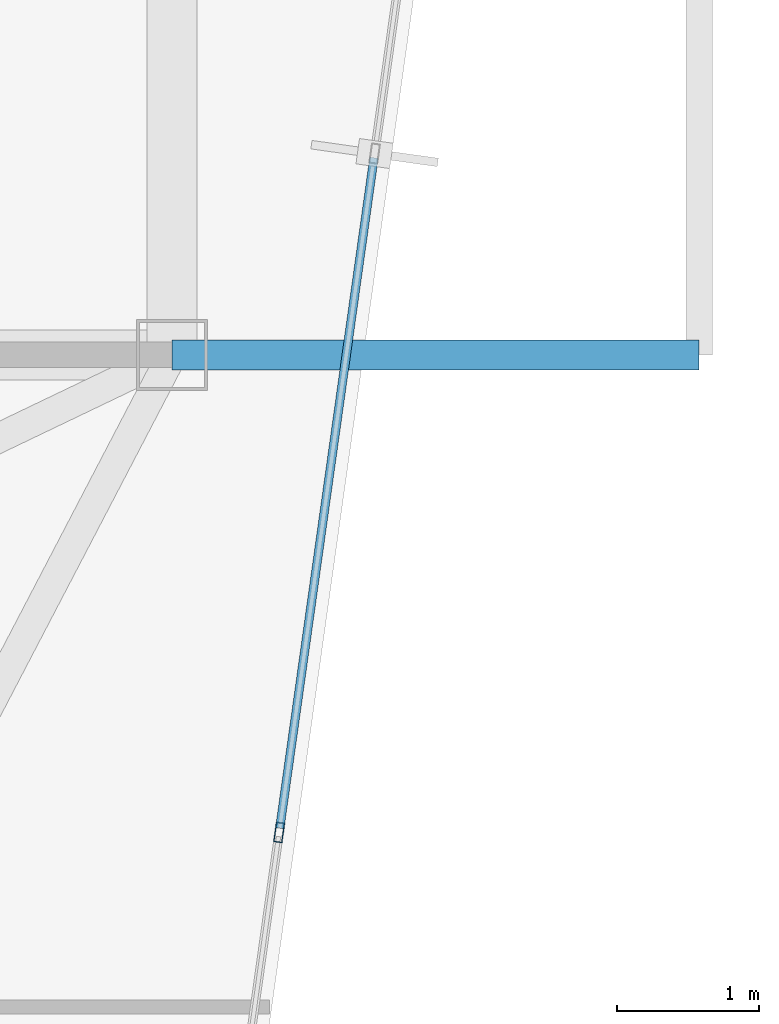
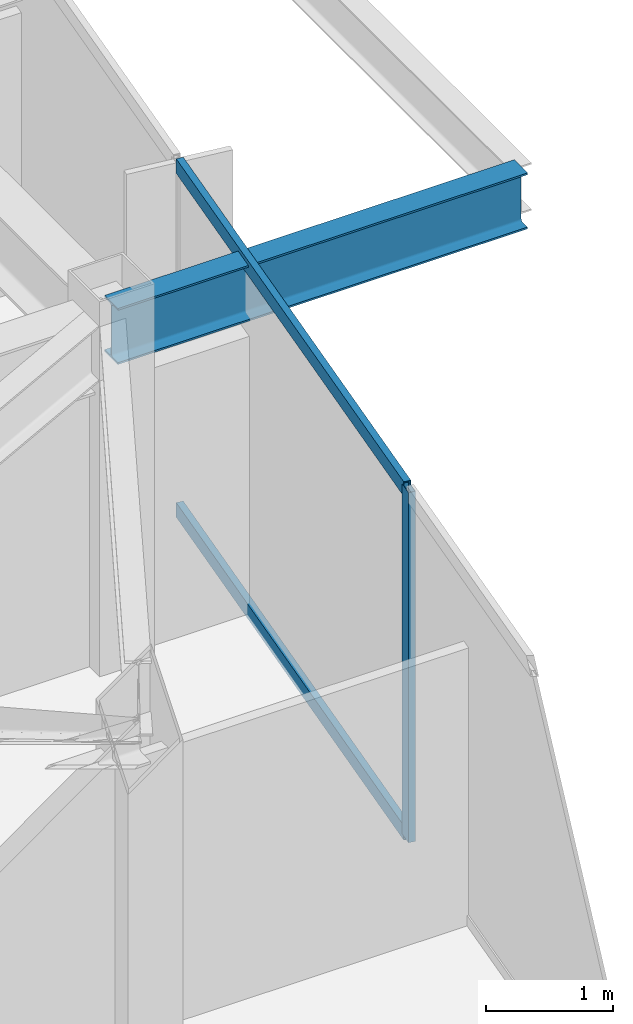
# One storey, part 12 of 21: 3 members, 1 beam, 1 element without a shape of its own.
"""IFC4 building model written with IfcOpenShell, lengths in metres."""

import ifcopenshell
import ifcopenshell.guid

model = None  # the IFC model being written
_history = None  # IfcOwnerHistory: only IFC2X3 demands one
_inside = {}  # id of a spatial element -> (the spatial element, [elements in it])
_under = {}  # id of a project, library or spatial element -> (it, [spatial elements below it])
_declared = {}  # id of a project -> (the project, [libraries it declares])
_typed = {}  # id of a type object -> (the type object, [elements of that type])
_made_of = {}  # id of a material, layer set ... -> (it, [elements and type objects made of it])


def new_model(schema):
    """Start an empty IFC model of exactly this schema.

    Asked for "IFC4X3", IfcOpenShell would pick the latest addendum, in which some entities
    have other attributes; the version numbers below select the first issue.
    IFC2X3 requires an IfcOwnerHistory on every rooted entity: one is made here for all.
    """
    global model, _history
    if schema == "IFC4X3":
        model = ifcopenshell.file(schema_version=(4, 3, 0, 0))
    else:
        model = ifcopenshell.file(schema=schema)
    _inside.clear()
    _under.clear()
    _declared.clear()
    _typed.clear()
    _made_of.clear()
    _history = None
    if model.schema == "IFC2X3":
        org = make("IfcOrganization", Name="unknown")
        user = make(
            "IfcPersonAndOrganization",
            ThePerson=make("IfcPerson", FamilyName="unknown"),
            TheOrganization=org,
        )
        app = make(
            "IfcApplication",
            ApplicationDeveloper=org,
            Version="unknown",
            ApplicationFullName="unknown",
            ApplicationIdentifier="unknown",
        )
        _history = make(
            "IfcOwnerHistory",
            OwningUser=user,
            OwningApplication=app,
            ChangeAction="ADDED",
            CreationDate=0,
        )
    return model


def make(cls, **values):
    """One entity of the class cls with the attributes given. An attribute that is None is left unset."""
    return model.create_entity(
        cls, **{name: value for name, value in values.items() if value is not None}
    )


def rooted(cls, **values):
    """An entity with a GlobalId (a new one), such as an element, a storey or a relation."""
    return make(cls, GlobalId=ifcopenshell.guid.new(), OwnerHistory=_history, **values)


def si_unit(unit_type, name, prefix=None):
    """IfcSIUnit, for example si_unit("LENGTHUNIT", "METRE", prefix="MILLI")."""
    return make("IfcSIUnit", UnitType=unit_type, Prefix=prefix, Name=name)


def assignment(units):
    """IfcUnitAssignment: the units of a project."""
    return None if units is None else make("IfcUnitAssignment", Units=units)


def point(xyz):
    """IfcCartesianPoint."""
    return None if xyz is None else make("IfcCartesianPoint", Coordinates=xyz)


def direction(xyz):
    """IfcDirection."""
    return None if xyz is None else make("IfcDirection", DirectionRatios=xyz)


def frame(location, z_axis=None, x_axis=None):
    """IfcAxis2Placement3D, a coordinate frame: its origin and axes. An axis left out is left unset."""
    return make(
        "IfcAxis2Placement3D",
        Location=point(location),
        Axis=direction(z_axis),
        RefDirection=direction(x_axis),
    )


def frame_2d(location, x_axis=None):
    """IfcAxis2Placement2D, a coordinate frame in the plane: its origin and x axis."""
    return make(
        "IfcAxis2Placement2D", Location=point(location), RefDirection=direction(x_axis)
    )


def origin():
    """The frame at (0, 0, 0) with its axes left unset."""
    return frame((0.0, 0.0, 0.0))


def origin_2d():
    """The frame at (0, 0) in the plane with its x axis left unset."""
    return frame_2d((0.0, 0.0))


def place(relative_to, where):
    """IfcLocalPlacement: puts the frame where relative to a parent placement (None: the world)."""
    return make(
        "IfcLocalPlacement", PlacementRelTo=relative_to, RelativePlacement=where
    )


def context(
    kind, dimensions, precision=None, world=None, true_north=None, identifier=None
):
    """IfcGeometricRepresentationContext, for example the 3D "Model" context."""
    return make(
        "IfcGeometricRepresentationContext",
        ContextIdentifier=identifier,
        ContextType=kind,
        CoordinateSpaceDimension=dimensions,
        Precision=precision,
        WorldCoordinateSystem=world,
        TrueNorth=true_north,
    )


def subcontext(parent, identifier, kind, view, scale=None):
    """IfcGeometricRepresentationSubContext, for example "Body" below "Model"."""
    return make(
        "IfcGeometricRepresentationSubContext",
        ContextIdentifier=identifier,
        ContextType=kind,
        ParentContext=parent,
        TargetScale=scale,
        TargetView=view,
    )


def project(units=None, contexts=None):
    """IfcProject with its units and contexts."""
    return rooted(
        "IfcProject",
        Name="project",
        RepresentationContexts=contexts,
        UnitsInContext=assignment(units),
    )


def spatial(cls, under=None, at=None, **own):
    """A site, building, storey or space (cls), placed at a placement, below another one or the project."""
    s = rooted(cls, ObjectPlacement=at, **own)
    if under is not None:
        _under.setdefault(under.id(), (under, []))[1].append(s)
    return s


def profile(cls, at=None, kind="AREA", **sizes):
    """A parametric profile (cls). Its sizes go by their IFC names, for example OverallWidth=200.0."""
    return make(cls, ProfileType=kind, Position=at, **sizes)


def hollow_rectangle(**sizes):
    """IfcRectangleHollowProfileDef."""
    return profile("IfcRectangleHollowProfileDef", **sizes)


def i_section(**sizes):
    """IfcIShapeProfileDef."""
    return profile("IfcIShapeProfileDef", **sizes)


def extrude(swept, where, along, depth):
    """IfcExtrudedAreaSolid: the profile swept, set in the frame where, extruded along a direction by depth."""
    return make(
        "IfcExtrudedAreaSolid",
        SweptArea=swept,
        Position=where,
        ExtrudedDirection=direction(along),
        Depth=depth,
    )


def shape(context_of_items, identifier, shape_type, items):
    """IfcShapeRepresentation: the items that make up one representation, for example the "Body"."""
    return make(
        "IfcShapeRepresentation",
        ContextOfItems=context_of_items,
        RepresentationIdentifier=identifier,
        RepresentationType=shape_type,
        Items=items,
    )


def material(Name=None, Category=None):
    """IfcMaterial."""
    return make("IfcMaterial", Name=Name, Category=Category)


def layer(
    of_material, thickness, ventilated=None, Name=None, Category=None, Priority=None
):
    """IfcMaterialLayer: one layer of a wall or slab, of a material (None: an air gap)."""
    return make(
        "IfcMaterialLayer",
        Material=of_material,
        LayerThickness=thickness,
        IsVentilated=ventilated,
        Name=Name,
        Category=Category,
        Priority=Priority,
    )


def layer_set(layers, Name=None):
    """IfcMaterialLayerSet."""
    return make("IfcMaterialLayerSet", MaterialLayers=layers, LayerSetName=Name)


def material_profile(
    of_material, cross_section, Name=None, Category=None, Priority=None
):
    """IfcMaterialProfile: a cross section and its material."""
    return make(
        "IfcMaterialProfile",
        Name=Name,
        Material=of_material,
        Profile=cross_section,
        Priority=Priority,
        Category=Category,
    )


def profile_set(profiles, Name=None, composite=None):
    """IfcMaterialProfileSet."""
    return make(
        "IfcMaterialProfileSet",
        Name=Name,
        MaterialProfiles=profiles,
        CompositeProfile=composite,
    )


def made_of(thing, what):
    """Note that an element or type object is made of a material, layer set ...; save() writes the relation."""
    if what is not None:
        _made_of.setdefault(what.id(), (what, []))[1].append(thing)
    return thing


def type_object(cls, material=None, **own):
    """A type object (cls), such as IfcWallType, which elements share."""
    return made_of(rooted(cls, **own), material)


def element(
    cls,
    number,
    at=None,
    inside=None,
    cuts=None,
    type_object=None,
    material=None,
    context=None,
    identifier="Body",
    shape_type=None,
    held_by="IfcProductDefinitionShape",
    body=None,
    shapes=None,
    **own,
):
    """One element of the class cls, such as IfcWall. Its Tag is "e" and its number.

    at: its placement. inside: the storey or other place that contains it. cuts: it is an
    opening in that element (IfcRelVoidsElement). A single representation is given by context,
    identifier, shape_type and body (its items); several are given by shapes. held_by: the class
    of the entity that holds the representations. save() writes the other relations.
    """
    e = rooted(cls, Tag="e%d" % number, ObjectPlacement=at, **own)
    if body is not None:
        shapes = [shape(context, identifier, shape_type, body)]
    if shapes is not None:
        e.Representation = make(held_by, Representations=shapes)
    if inside is not None:
        _inside.setdefault(inside.id(), (inside, []))[1].append(e)
    if cuts is not None:
        rooted(
            "IfcRelVoidsElement", RelatingBuildingElement=cuts, RelatedOpeningElement=e
        )
    if type_object is not None:
        _typed.setdefault(type_object.id(), (type_object, []))[1].append(e)
    return made_of(e, material)


def aggregate(whole, parts):
    """IfcRelAggregates: a whole, such as a stair, and the parts it consists of."""
    return rooted("IfcRelAggregates", RelatingObject=whole, RelatedObjects=parts)


def save(model, path):
    """Write the relations noted so far, then the file.

    IfcRelAggregates (storeys below a building ...), IfcRelContainedInSpatialStructure (elements
    in a storey), IfcRelDefinesByType, IfcRelAssociatesMaterial and IfcRelDeclares: one each for
    every whole, place, type object, material and project.
    """
    for whole, parts in _under.values():
        aggregate(whole, parts)
    for where, things in _inside.values():
        rooted(
            "IfcRelContainedInSpatialStructure",
            RelatedElements=things,
            RelatingStructure=where,
        )
    for kind, things in _typed.values():
        rooted("IfcRelDefinesByType", RelatedObjects=things, RelatingType=kind)
    for what, things in _made_of.values():
        rooted("IfcRelAssociatesMaterial", RelatedObjects=things, RelatingMaterial=what)
    for by, libraries in _declared.values():
        rooted("IfcRelDeclares", RelatingContext=by, RelatedDefinitions=libraries)
    model.write(path)


model = new_model("IFC4")

# Units and contexts
model_context = context("Model", 3, precision=1e-05, world=origin(), true_north=direction((0.0, 1.0)))
body_context = subcontext(model_context, "Body", "Model", "MODEL_VIEW")
ifc_project = project(units=[si_unit("LENGTHUNIT", "METRE"), si_unit("AREAUNIT", "SQUARE_METRE"), si_unit("VOLUMEUNIT", "CUBIC_METRE"), si_unit("PLANEANGLEUNIT", "RADIAN"), si_unit("MASSUNIT", "GRAM", prefix="KILO")], contexts=[model_context])

# Site, building, storey
site_placement = place(None, origin())
site = spatial("IfcSite", under=ifc_project, at=site_placement, CompositionType="ELEMENT")
building_placement = place(site_placement, origin())
building = spatial("IfcBuilding", under=site, at=building_placement, Name="Kravanh Interchange Tower", CompositionType="ELEMENT")
storey_placement = place(building_placement, frame((0.0, 0.0, 231.0)))
storey = spatial("IfcBuildingStorey", under=building, at=storey_placement, Name="L55", CompositionType="ELEMENT", Elevation=231.0)

# Curtain wall, members
ifc_material_1 = material(Name="Anodised Bronze Aluminium", Category="aluminium")
ifc_layer = layer(ifc_material_1, 0.179931640625)
ifc_layer_set = layer_set([ifc_layer], Name="Unitised Curtain Wall System CW-HTL Luxury Hotel")
curtain_wall_type = type_object("IfcCurtainWallType", Name="Unitised Curtain Wall System CW-HTL Luxury Hotel", PredefinedType="NOTDEFINED", material=ifc_layer_set)
curtain_wall_placement = place(storey_placement, origin())
curtain_wall = element("IfcCurtainWall", 1, at=curtain_wall_placement, inside=storey, type_object=curtain_wall_type, Name="L55 Unitised Curtain Wall CW-L55-01", PredefinedType="NOTDEFINED")
ifc_material_2 = material(Name="Anodised Bronze Aluminium", Category="aluminium")
ifc_material_profile_1 = material_profile(ifc_material_2, hollow_rectangle(XDim=0.06005859375, YDim=0.139892578125, WallThickness=0.00390625, at=origin_2d()), Name="ALU60X140X4")
ifc_profile_set_1 = profile_set([ifc_material_profile_1], Name="Anodised Bronze Aluminium")
member_type_1 = type_object("IfcMemberType", Name="Curtain Wall Mullion ALU60X140X4 Bronze", PredefinedType="MULLION", material=ifc_profile_set_1)
member_1_placement = place(storey_placement, frame((66.355712890625, 23.43115234375, 0.0), z_axis=(0.0, 0.0, 1.0), x_axis=(0.990267623707, -0.13917626751, 0.0)))
member_1 = element("IfcMember", 2, at=member_1_placement, type_object=member_type_1, Name="CW-HTL mullion 4", PredefinedType="MULLION", context=body_context, shape_type="SweptSolid", body=[
    extrude(hollow_rectangle(XDim=0.06005859375, YDim=0.139892578125, WallThickness=0.00390625, at=origin_2d()), origin(), (0.0, 0.0, 1.0), 3.360107421875),
])
ifc_material_3 = material(Name="Anodised Bronze Aluminium", Category="aluminium")
ifc_material_profile_2 = material_profile(ifc_material_3, hollow_rectangle(XDim=0.06005859375, YDim=0.139892578125, WallThickness=0.00390625, at=origin_2d()), Name="ALU60X140X4")
ifc_profile_set_2 = profile_set([ifc_material_profile_2], Name="Anodised Bronze Aluminium")
member_type_2 = type_object("IfcMemberType", Name="Curtain Wall Transom ALU60X140X4 Bronze", PredefinedType="USERDEFINED", material=ifc_profile_set_2)
member_2_placement = place(storey_placement, frame((67.024658203125, 28.191162109375, 0.030029296875), z_axis=(-0.139174169915, -0.990267918509, 0.0), x_axis=(0.990267918509, -0.139174169915, 0.0)))
member_2 = element("IfcMember", 3, at=member_2_placement, type_object=member_type_2, Name="CW-HTL transom 3.1", ObjectType="TRANSOM", PredefinedType="USERDEFINED", context=body_context, shape_type="SweptSolid", body=[
    extrude(hollow_rectangle(XDim=0.06005859375, YDim=0.139892578125, WallThickness=0.00390625, at=origin_2d()), origin(), (0.0, 0.0, 1.0), 4.776611328125),
])
member_3_placement = place(storey_placement, frame((67.024658203125, 28.191162109375, 3.330078125), z_axis=(-0.139174169915, -0.990267918509, 0.0), x_axis=(0.990267918509, -0.139174169915, 0.0)))
member_3 = element("IfcMember", 4, at=member_3_placement, type_object=member_type_2, Name="CW-HTL transom 3.2", ObjectType="TRANSOM", PredefinedType="USERDEFINED", context=body_context, shape_type="SweptSolid", body=[
    extrude(hollow_rectangle(XDim=0.06005859375, YDim=0.139892578125, WallThickness=0.00390625, at=origin_2d()), origin(), (0.0, 0.0, 1.0), 4.776611328125),
])
aggregate(curtain_wall, [member_1, member_2, member_3])

# Beam
ifc_material_4 = material(Name="Structural Steel S355", Category="steel")
ifc_material_profile_3 = material_profile(ifc_material_4, i_section(OverallWidth=0.2099609375, OverallDepth=0.537109375, WebThickness=0.010986328125, FlangeThickness=0.017333984375, FilletRadius=0.02001953125, at=origin_2d()), Name="W21X68")
ifc_profile_set_3 = profile_set([ifc_material_profile_3], Name="Structural Steel S355")
beam_type = type_object("IfcBeamType", Name="Floor Spandrel W21X68 Structural Steel S355", PredefinedType="SPANDREL", material=ifc_profile_set_3)
beam_placement = place(storey_placement, frame((65.60009765625, 26.800048828125, 3.091552734375), z_axis=(1.0, 0.0, 0.0), x_axis=(0.0, 1.0, 0.0)))
element("IfcBeam", 5, at=beam_placement, inside=storey, type_object=beam_type, Name="L55 Balcony Cantilever Outrigger E1", PredefinedType="SPANDREL", context=body_context, shape_type="SweptSolid", body=[
    extrude(i_section(OverallWidth=0.2099609375, OverallDepth=0.537109375, WebThickness=0.010986328125, FlangeThickness=0.017333984375, FilletRadius=0.02001953125, at=origin_2d()), origin(), (0.0, 0.0, 1.0), 3.718994140625),
])

save(model, "model.ifc")
